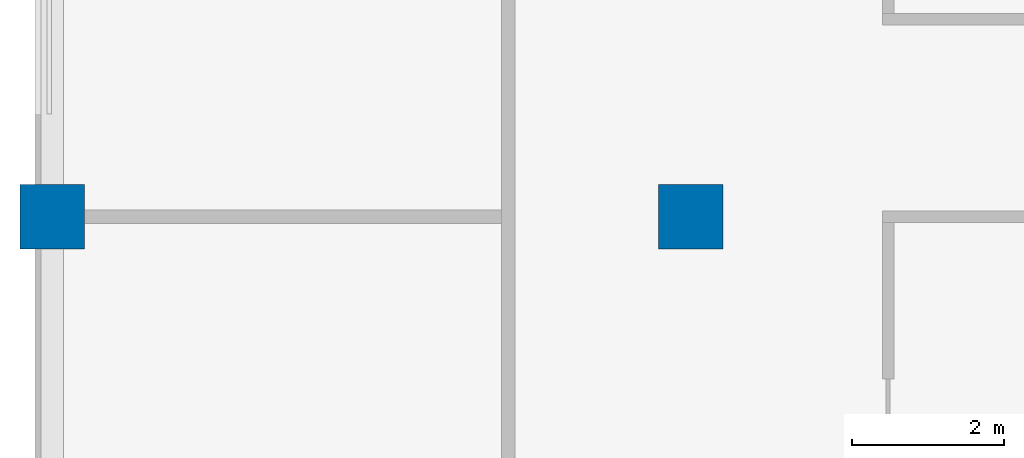
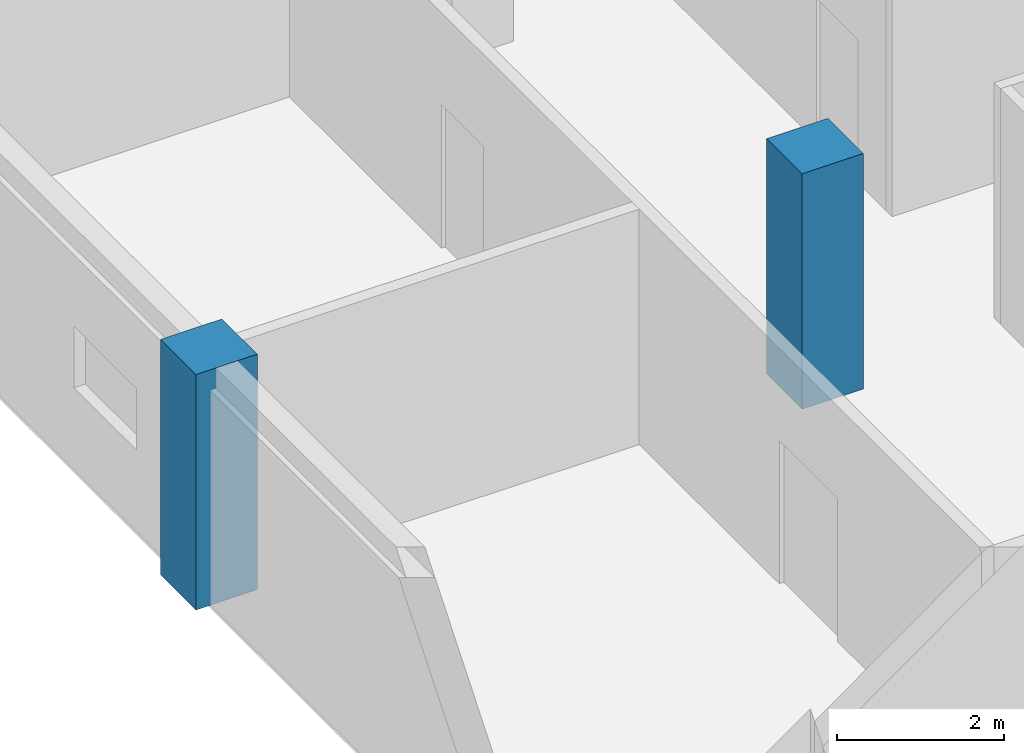
# One storey, part 7 of 94: 2 columns.
"""IFC4 building model written with IfcOpenShell, lengths in metres."""

from ifc_helpers import new_model, si_unit, direction, frame, origin, origin_2d, place, context, subcontext, project, spatial, rectangle, extrude, material, material_profile, profile_set, type_object, element, save


model = new_model("IFC4")

# Units and contexts
model_context = context("Model", 3, precision=1e-05, world=origin(), true_north=direction((0.0, 1.0)))
body_context = subcontext(model_context, "Body", "Model", "MODEL_VIEW")
ifc_project = project(units=[si_unit("LENGTHUNIT", "METRE"), si_unit("AREAUNIT", "SQUARE_METRE"), si_unit("VOLUMEUNIT", "CUBIC_METRE"), si_unit("PLANEANGLEUNIT", "RADIAN"), si_unit("MASSUNIT", "GRAM", prefix="KILO")], contexts=[model_context])

# Site, building, storey
site_placement = place(None, origin())
site = spatial("IfcSite", under=ifc_project, at=site_placement, CompositionType="ELEMENT")
building_placement = place(site_placement, origin())
building = spatial("IfcBuilding", under=site, at=building_placement, Name="Yavir Park General Hospital", CompositionType="ELEMENT")
storey_placement = place(building_placement, frame((0.0, 0.0, 4.5)))
storey = spatial("IfcBuildingStorey", under=building, at=storey_placement, Name="L01", CompositionType="ELEMENT", Elevation=4.5)

# Columns
ifc_material = material(Name="Concrete C40/50", Category="concrete")
ifc_material_profile = material_profile(ifc_material, rectangle(XDim=0.85009765625, YDim=0.85009765625, at=origin_2d()), Name="RC850x850")
ifc_profile_set = profile_set([ifc_material_profile], Name="Concrete C40/50")
column_type = type_object("IfcColumnType", Name="RC COLUMN 850x850", PredefinedType="COLUMN", material=ifc_profile_set)
for number, where, z_axis, x_axis, name in (
    (1, (0.0, 84.0, 0.0), (0.0, 0.0, 1.0), (1.0, 0.0, 0.0), "C:L01:1L"),
    (2, (8.39990234375, 84.0, 0.0), (0.0, 0.0, 1.0), (1.0, 0.0, 0.0), "C:L01:2L"),
):
    element("IfcColumn", number, at=place(storey_placement, frame(where, z_axis=z_axis, x_axis=x_axis)), inside=storey, type_object=column_type, Name=name, PredefinedType="COLUMN", context=body_context, shape_type="SweptSolid", body=[
        extrude(rectangle(XDim=0.85009765625, YDim=0.85009765625, at=origin_2d()), origin(), (0.0, 0.0, 1.0), 3.449951171875),
    ])

save(model, "model.ifc")
